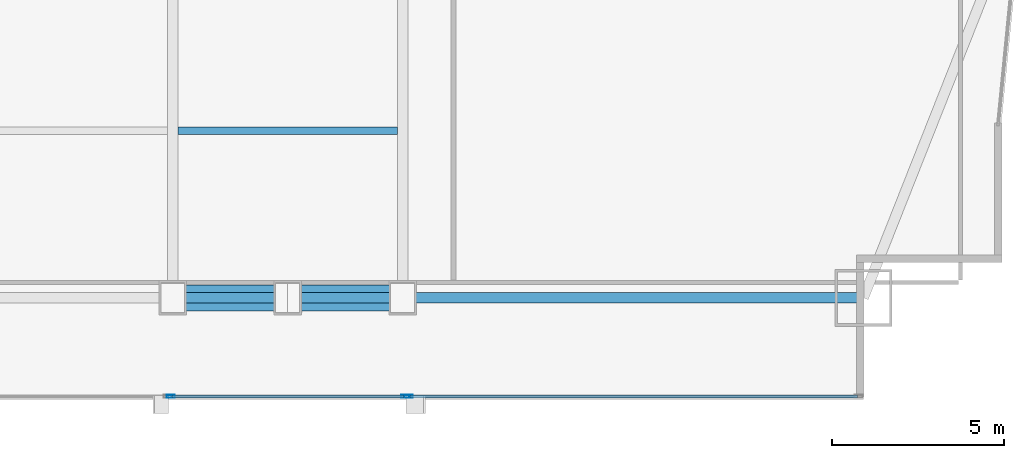
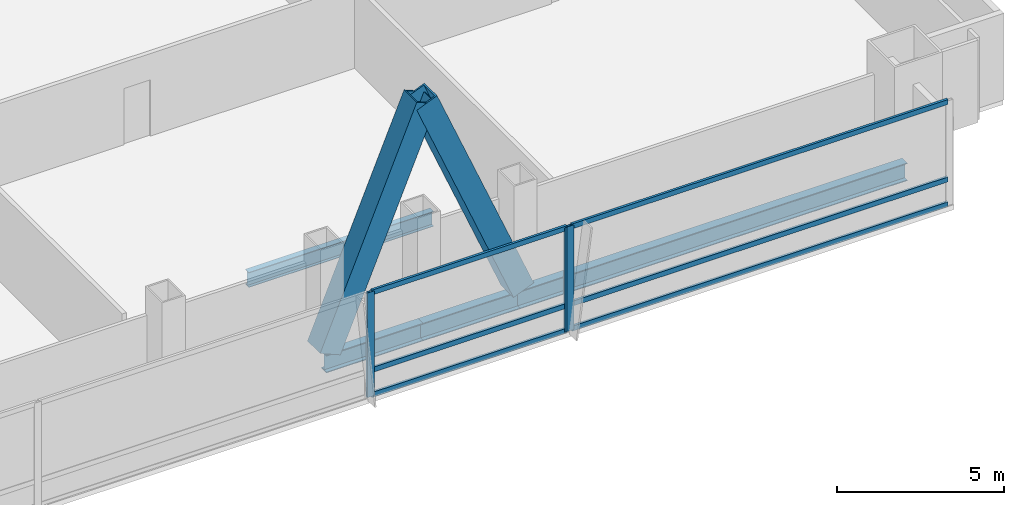
# One storey, part 14 of 33: 11 members, 4 beams, 2 elements without a shape of their own.
"""IFC4 building model written with IfcOpenShell, lengths in metres."""

from ifc_helpers import new_model, si_unit, direction, frame, origin, origin_2d, place, context, subcontext, project, spatial, hollow_rectangle, i_section, extrude, material, material_profile, profile_set, type_object, element, aggregate, save


model = new_model("IFC4")

# Units and contexts
model_context = context("Model", 3, precision=1e-05, world=origin(), true_north=direction((0.0, 1.0)))
body_context = subcontext(model_context, "Body", "Model", "MODEL_VIEW")
ifc_project = project(units=[si_unit("LENGTHUNIT", "METRE"), si_unit("AREAUNIT", "SQUARE_METRE"), si_unit("VOLUMEUNIT", "CUBIC_METRE"), si_unit("PLANEANGLEUNIT", "RADIAN"), si_unit("MASSUNIT", "GRAM", prefix="KILO")], contexts=[model_context])

# Site, building, storey
site_placement = place(None, origin())
site = spatial("IfcSite", under=ifc_project, at=site_placement, CompositionType="ELEMENT")
building_placement = place(site_placement, origin())
building = spatial("IfcBuilding", under=site, at=building_placement, Name="Khoronbel Lancet Exchange", CompositionType="ELEMENT")
storey_placement = place(building_placement, frame((0.0, 0.0, 73.800048828125)))
storey = spatial("IfcBuildingStorey", under=building, at=storey_placement, Name="L17", CompositionType="ELEMENT", Elevation=73.800048828125)

# Beams
ifc_material_1 = material(Name="Steel S355", Category="steel")
ifc_material_profile_1 = material_profile(ifc_material_1, i_section(OverallWidth=0.2099609375, OverallDepth=0.550048828125, WebThickness=0.010986328125, FlangeThickness=0.01708984375, at=origin_2d()), Name="IPE 550")
ifc_profile_set_1 = profile_set([ifc_material_profile_1], Name="Steel S355")
beam_type_1 = type_object("IfcBeamType", Name="BM-BJ2", PredefinedType="JOIST", material=ifc_profile_set_1)
beam_1_placement = place(storey_placement, frame((48.14990234375, 15.0, -0.455078125), z_axis=(1.0, 0.0, 0.0), x_axis=(0.0, 1.0, 0.0)))
element("IfcBeam", 1, at=beam_1_placement, inside=storey, type_object=beam_type_1, Name="Level L17 secondary composite joist J05", PredefinedType="JOIST", context=body_context, shape_type="SweptSolid", body=[
    extrude(i_section(OverallWidth=0.2099609375, OverallDepth=0.550048828125, WebThickness=0.010986328125, FlangeThickness=0.01708984375, at=origin_2d()), origin(), (0.0, 0.0, 1.0), 6.375),
])
ifc_material_profile_2 = material_profile(ifc_material_1, i_section(OverallWidth=0.300048828125, OverallDepth=0.64990234375, WebThickness=0.01611328125, FlangeThickness=0.031005859375, at=origin_2d()), Name="HEB 650")
ifc_profile_set_2 = profile_set([ifc_material_profile_2], Name="Steel S355")
beam_type_2 = type_object("IfcBeamType", Name="BM-BSP1", PredefinedType="SPANDREL", material=ifc_profile_set_2)
beam_2_placement = place(storey_placement, frame((48.0, 10.14990234375, -0.505126953125), z_axis=(1.0, 0.0, 0.0), x_axis=(0.0, 1.0, 0.0)))
element("IfcBeam", 2, at=beam_2_placement, inside=storey, type_object=beam_type_2, Name="Level L17 perimeter spandrel beam SP07", PredefinedType="SPANDREL", context=body_context, shape_type="SweptSolid", body=[
    extrude(i_section(OverallWidth=0.300048828125, OverallDepth=0.64990234375, WebThickness=0.01611328125, FlangeThickness=0.031005859375, at=origin_2d()), origin(), (0.0, 0.0, 1.0), 3.33740234375),
])
beam_3_placement = place(storey_placement, frame((51.33740234375, 10.14990234375, -0.505126953125), z_axis=(1.0, 0.0, 0.0), x_axis=(0.0, 1.0, 0.0)))
element("IfcBeam", 3, at=beam_3_placement, inside=storey, type_object=beam_type_2, Name="Level L17 perimeter spandrel beam SP08", PredefinedType="SPANDREL", context=body_context, shape_type="SweptSolid", body=[
    extrude(i_section(OverallWidth=0.300048828125, OverallDepth=0.64990234375, WebThickness=0.01611328125, FlangeThickness=0.031005859375, at=origin_2d()), origin(), (0.0, 0.0, 1.0), 3.337646484375),
])
beam_4_placement = place(storey_placement, frame((54.675048828125, 10.14990234375, -0.505126953125), z_axis=(1.0, 0.0, 0.0), x_axis=(0.0, 1.0, 0.0)))
element("IfcBeam", 4, at=beam_4_placement, inside=storey, type_object=beam_type_2, Name="Level L17 perimeter spandrel beam SP09", PredefinedType="SPANDREL", context=body_context, shape_type="SweptSolid", body=[
    extrude(i_section(OverallWidth=0.300048828125, OverallDepth=0.64990234375, WebThickness=0.01611328125, FlangeThickness=0.031005859375, at=origin_2d()), origin(), (0.0, 0.0, 1.0), 13.375),
])

# Curtain wall, members
ifc_material_2 = material(Name="Low-E Solar Control Insulating Glass", Category="glass")
curtain_wall_type = type_object("IfcCurtainWallType", Name="CW-1", PredefinedType="NOTDEFINED", material=ifc_material_2)
curtain_wall_1_placement = place(storey_placement, origin())
curtain_wall_1 = element("IfcCurtainWall", 5, at=curtain_wall_1_placement, inside=storey, type_object=curtain_wall_type, Name="Unitised curtain wall CW-L17-SEB", PredefinedType="NOTDEFINED")
ifc_material_3 = material(Name="Bronze-Anodised Aluminium 6063-T6", Category="aluminium")
ifc_material_profile_3 = material_profile(ifc_material_3, hollow_rectangle(XDim=0.0849609375, YDim=0.239990234375, WallThickness=0.006103515625, at=origin_2d()), Name="ALU MULLION 85x240")
ifc_profile_set_3 = profile_set([ifc_material_profile_3], Name="Bronze-Anodised Aluminium 6063-T6")
member_type_1 = type_object("IfcMemberType", Name="MEM-CWM1", PredefinedType="MULLION", material=ifc_profile_set_3)
member_1_placement = place(storey_placement, frame((47.9423828125, 7.2900390625, 0.0), z_axis=(0.0, 0.0, 1.0), x_axis=(0.0, 1.0, 0.0)))
member_1 = element("IfcMember", 6, at=member_1_placement, type_object=member_type_1, Name="CW1 mullion 1", PredefinedType="MULLION", context=body_context, shape_type="SweptSolid", body=[
    extrude(hollow_rectangle(XDim=0.0849609375, YDim=0.239990234375, WallThickness=0.006103515625, at=origin_2d()), origin(), (0.0, 0.0, 1.0), 3.820068359375),
])
member_2_placement = place(storey_placement, frame((54.757568359375, 7.2900390625, 0.0), z_axis=(0.0, 0.0, 1.0), x_axis=(0.0, 1.0, 0.0)))
member_2 = element("IfcMember", 7, at=member_2_placement, type_object=member_type_1, Name="CW1 mullion 2", PredefinedType="MULLION", context=body_context, shape_type="SweptSolid", body=[
    extrude(hollow_rectangle(XDim=0.0849609375, YDim=0.239990234375, WallThickness=0.006103515625, at=origin_2d()), origin(), (0.0, 0.0, 1.0), 3.820068359375),
])

# Curtain wall, member
curtain_wall_2_placement = place(storey_placement, origin())
curtain_wall_2 = element("IfcCurtainWall", 8, at=curtain_wall_2_placement, inside=storey, type_object=curtain_wall_type, Name="Unitised curtain wall CW-L17-SEV", PredefinedType="NOTDEFINED")
member_3_placement = place(storey_placement, frame((54.842529296875, 7.2900390625, 0.0), z_axis=(0.0, 0.0, 1.0), x_axis=(0.0, 1.0, 0.0)))
member_3 = element("IfcMember", 9, at=member_3_placement, type_object=member_type_1, Name="CW1 mullion 1", PredefinedType="MULLION", context=body_context, shape_type="SweptSolid", body=[
    extrude(hollow_rectangle(XDim=0.0849609375, YDim=0.239990234375, WallThickness=0.006103515625, at=origin_2d()), origin(), (0.0, 0.0, 1.0), 3.820068359375),
])

# Member
ifc_material_profile_4 = material_profile(ifc_material_3, hollow_rectangle(XDim=0.0849609375, YDim=0.179931640625, WallThickness=0.0048828125, at=origin_2d()), Name="ALU TRANSOM 85x180")
ifc_profile_set_4 = profile_set([ifc_material_profile_4], Name="Bronze-Anodised Aluminium 6063-T6")
member_type_2 = type_object("IfcMemberType", Name="MEM-CWT1", PredefinedType="USERDEFINED", material=ifc_profile_set_4)
member_4_placement = place(storey_placement, frame((47.985107421875, 7.2900390625, 0.04248046875), z_axis=(1.0, 0.0, 0.0), x_axis=(0.0, 1.0, 0.0)))
member_4 = element("IfcMember", 10, at=member_4_placement, type_object=member_type_2, Name="CW1 transom 1.1", ObjectType="TRANSOM", PredefinedType="USERDEFINED", context=body_context, shape_type="SweptSolid", body=[
    extrude(hollow_rectangle(XDim=0.0849609375, YDim=0.179931640625, WallThickness=0.0048828125, at=origin_2d()), origin(), (0.0, 0.0, 1.0), 6.72998046875),
])

member_5_placement = place(storey_placement, frame((47.985107421875, 7.2900390625, 0.949951171875), z_axis=(1.0, 0.0, 0.0), x_axis=(0.0, 1.0, 0.0)))
member_5 = element("IfcMember", 11, at=member_5_placement, type_object=member_type_2, Name="CW1 transom 1.2", ObjectType="TRANSOM", PredefinedType="USERDEFINED", context=body_context, shape_type="SweptSolid", body=[
    extrude(hollow_rectangle(XDim=0.0849609375, YDim=0.179931640625, WallThickness=0.0048828125, at=origin_2d()), origin(), (0.0, 0.0, 1.0), 6.72998046875),
])

member_6_placement = place(storey_placement, frame((47.985107421875, 7.2900390625, 3.77734375), z_axis=(1.0, 0.0, 0.0), x_axis=(0.0, 1.0, 0.0)))
member_6 = element("IfcMember", 12, at=member_6_placement, type_object=member_type_2, Name="CW1 transom 1.3", ObjectType="TRANSOM", PredefinedType="USERDEFINED", context=body_context, shape_type="SweptSolid", body=[
    extrude(hollow_rectangle(XDim=0.0849609375, YDim=0.179931640625, WallThickness=0.0048828125, at=origin_2d()), origin(), (0.0, 0.0, 1.0), 6.72998046875),
])

aggregate(curtain_wall_1, [member_1, member_2, member_4, member_5, member_6])

member_7_placement = place(storey_placement, frame((54.885009765625, 7.2900390625, 0.04248046875), z_axis=(1.0, 0.0, 0.0), x_axis=(0.0, 1.0, 0.0)))
member_7 = element("IfcMember", 13, at=member_7_placement, type_object=member_type_2, Name="CW1 transom 1.1", ObjectType="TRANSOM", PredefinedType="USERDEFINED", context=body_context, shape_type="SweptSolid", body=[
    extrude(hollow_rectangle(XDim=0.0849609375, YDim=0.179931640625, WallThickness=0.0048828125, at=origin_2d()), origin(), (0.0, 0.0, 1.0), 12.989990234375),
])

member_8_placement = place(storey_placement, frame((54.885009765625, 7.2900390625, 0.949951171875), z_axis=(1.0, 0.0, 0.0), x_axis=(0.0, 1.0, 0.0)))
member_8 = element("IfcMember", 14, at=member_8_placement, type_object=member_type_2, Name="CW1 transom 1.2", ObjectType="TRANSOM", PredefinedType="USERDEFINED", context=body_context, shape_type="SweptSolid", body=[
    extrude(hollow_rectangle(XDim=0.0849609375, YDim=0.179931640625, WallThickness=0.0048828125, at=origin_2d()), origin(), (0.0, 0.0, 1.0), 12.989990234375),
])

member_9_placement = place(storey_placement, frame((54.885009765625, 7.2900390625, 3.77734375), z_axis=(1.0, 0.0, 0.0), x_axis=(0.0, 1.0, 0.0)))
member_9 = element("IfcMember", 15, at=member_9_placement, type_object=member_type_2, Name="CW1 transom 1.3", ObjectType="TRANSOM", PredefinedType="USERDEFINED", context=body_context, shape_type="SweptSolid", body=[
    extrude(hollow_rectangle(XDim=0.0849609375, YDim=0.179931640625, WallThickness=0.0048828125, at=origin_2d()), origin(), (0.0, 0.0, 1.0), 12.989990234375),
])

aggregate(curtain_wall_2, [member_3, member_7, member_8, member_9])

# Members
ifc_material_4 = material(Name="Steel S460", Category="steel")
ifc_material_profile_5 = material_profile(ifc_material_4, hollow_rectangle(XDim=0.760009765625, YDim=0.760009765625, WallThickness=0.054931640625, at=origin_2d()), Name="BOX 760x760x55")
ifc_profile_set_5 = profile_set([ifc_material_profile_5], Name="Steel S460")
member_type_3 = type_object("IfcMemberType", Name="MEM-MB1", PredefinedType="BRACE", material=ifc_profile_set_5)
for number, where, z_axis, x_axis, name in (
    (16, (48.0, 10.14990234375, 0.0), (0.385015324606, 0.0, 0.922910179713), (0.0, 1.0, 0.0), "Perimeter lancet brace tier 5 S-E-L"),
    (17, (54.675048828125, 10.14990234375, 0.0), (-0.385039314112, 0.0, 0.922900171518), (0.0, -1.0, 0.0), "Perimeter lancet brace tier 5 S-E-R"),
):
    element("IfcMember", number, at=place(storey_placement, frame(where, z_axis=z_axis, x_axis=x_axis)), inside=storey, type_object=member_type_3, Name=name, PredefinedType="BRACE", context=body_context, shape_type="SweptSolid", body=[
        extrude(hollow_rectangle(XDim=0.760009765625, YDim=0.760009765625, WallThickness=0.054931640625, at=origin_2d()), origin(), (0.0, 0.0, 1.0), 8.668212890625),
    ])

save(model, "model.ifc")
